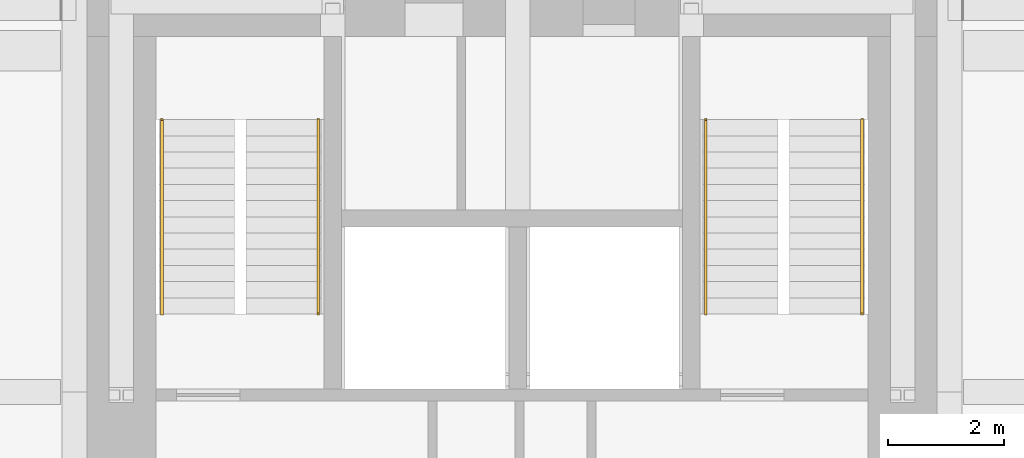
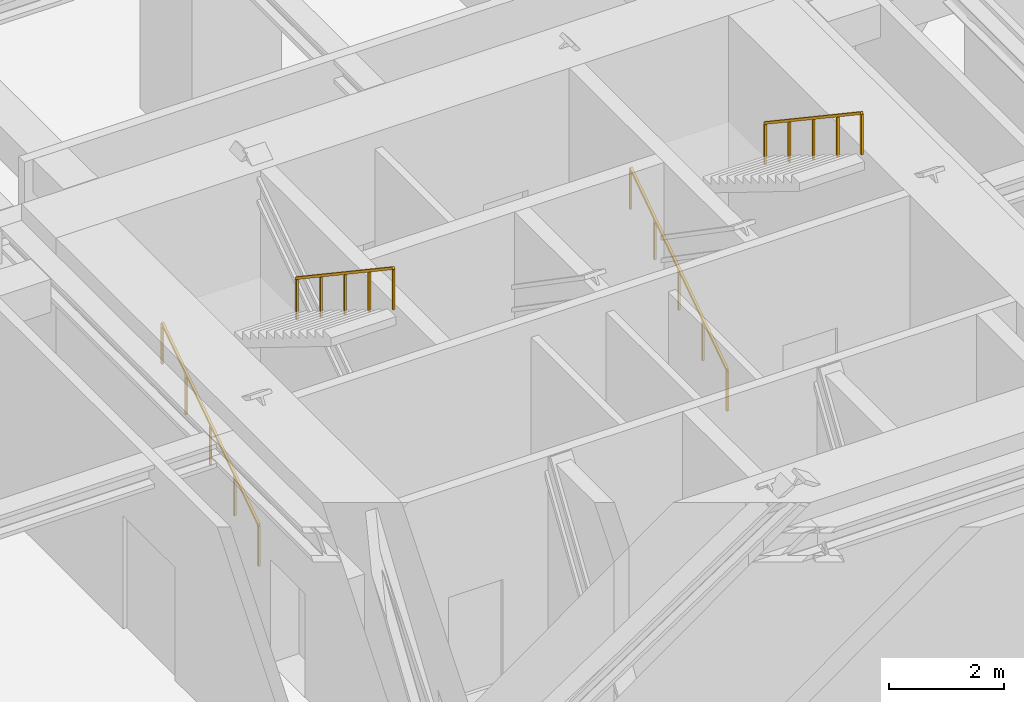
# One storey, part 6 of 6: 4 railings.
"""IFC4 building model written with IfcOpenShell, lengths in metres."""

from ifc_helpers import new_model, si_unit, direction, frame, origin, origin_2d, place, context, subcontext, project, spatial, rectangle, extrude, material, type_object, element, save


model = new_model("IFC4")

# Units and contexts
model_context = context("Model", 3, precision=1e-05, world=origin(), true_north=direction((0.0, 1.0)))
body_context = subcontext(model_context, "Body", "Model", "MODEL_VIEW")
ifc_project = project(units=[si_unit("LENGTHUNIT", "METRE"), si_unit("AREAUNIT", "SQUARE_METRE"), si_unit("VOLUMEUNIT", "CUBIC_METRE"), si_unit("PLANEANGLEUNIT", "RADIAN"), si_unit("MASSUNIT", "GRAM", prefix="KILO")], contexts=[model_context])

# Site, building, storey
site_placement = place(None, origin())
site = spatial("IfcSite", under=ifc_project, at=site_placement, CompositionType="ELEMENT")
building_placement = place(site_placement, origin())
building = spatial("IfcBuilding", under=site, at=building_placement, Name="Nyansa Garden Tower", CompositionType="ELEMENT")
storey_placement = place(building_placement, frame((0.0, 0.0, 75.60009765625)))
storey = spatial("IfcBuildingStorey", under=building, at=storey_placement, Name="L20", CompositionType="ELEMENT", Elevation=75.60009765625)

# Railings
ifc_material = material(Name="Black powder-coated steel tube 48 mm", Category="steel")
railing_type = type_object("IfcRailingType", Name="Stair handrail HR1", PredefinedType="HANDRAIL", material=ifc_material)
railing_1_placement = place(storey_placement, frame((14.199951171875, 21.60009765625, 0.0)))
element("IfcRailing", 1, at=railing_1_placement, inside=storey, type_object=railing_type, Name="Stair S1 handrail L20", PredefinedType="HANDRAIL", context=body_context, shape_type="SweptSolid", body=[
    extrude(rectangle(XDim=0.048095703125, YDim=0.048095703125, at=origin_2d()), frame((0.0, 0.0, 0.8759765625), z_axis=(0.0, 0.830896709279, 0.556426687452), x_axis=(-1.0, 0.0, 0.0)), (0.0, 0.0, 1.0), 4.043701171875),
    extrude(rectangle(XDim=0.0419921875, YDim=0.0419921875, at=origin_2d()), origin(), (0.0, 0.0, 1.0), 0.851806640625),
    extrude(rectangle(XDim=0.0419921875, YDim=0.0419921875, at=origin_2d()), frame((0.0, 0.83984375, 0.5625)), (0.0, 0.0, 1.0), 0.851806640625),
    extrude(rectangle(XDim=0.0419921875, YDim=0.0419921875, at=origin_2d()), frame((0.0, 1.679931640625, 1.125)), (0.0, 0.0, 1.0), 0.851806640625),
    extrude(rectangle(XDim=0.0419921875, YDim=0.0419921875, at=origin_2d()), frame((0.0, 2.52001953125, 1.6875)), (0.0, 0.0, 1.0), 0.851806640625),
    extrude(rectangle(XDim=0.0419921875, YDim=0.0419921875, at=origin_2d()), frame((0.0, 3.35986328125, 2.25)), (0.0, 0.0, 1.0), 0.851806640625),
])
railing_2_placement = place(storey_placement, frame((16.89990234375, 24.9599609375, 2.25)))
element("IfcRailing", 2, at=railing_2_placement, inside=storey, type_object=railing_type, Name="Stair S1 handrail L20", PredefinedType="HANDRAIL", context=body_context, shape_type="SweptSolid", body=[
    extrude(rectangle(XDim=0.048095703125, YDim=0.048095703125, at=origin_2d()), frame((0.0, 0.0, 0.8759765625), z_axis=(0.0, -0.830896709279, 0.556426687452), x_axis=(1.0, 0.0, 0.0)), (0.0, 0.0, 1.0), 4.043701171875),
    extrude(rectangle(XDim=0.0419921875, YDim=0.0419921875, at=origin_2d()), origin(), (0.0, 0.0, 1.0), 0.851806640625),
    extrude(rectangle(XDim=0.0419921875, YDim=0.0419921875, at=origin_2d()), frame((0.0, -0.83984375, 0.5625)), (0.0, 0.0, 1.0), 0.851806640625),
    extrude(rectangle(XDim=0.0419921875, YDim=0.0419921875, at=origin_2d()), frame((0.0, -1.679931640625, 1.125)), (0.0, 0.0, 1.0), 0.851806640625),
    extrude(rectangle(XDim=0.0419921875, YDim=0.0419921875, at=origin_2d()), frame((0.0, -2.52001953125, 1.6875)), (0.0, 0.0, 1.0), 0.851806640625),
    extrude(rectangle(XDim=0.0419921875, YDim=0.0419921875, at=origin_2d()), frame((0.0, -3.35986328125, 2.25)), (0.0, 0.0, 1.0), 0.851806640625),
])
railing_3_placement = place(storey_placement, frame((23.60009765625, 21.60009765625, 0.0)))
element("IfcRailing", 3, at=railing_3_placement, inside=storey, type_object=railing_type, Name="Stair S2 handrail L20", PredefinedType="HANDRAIL", context=body_context, shape_type="SweptSolid", body=[
    extrude(rectangle(XDim=0.048095703125, YDim=0.048095703125, at=origin_2d()), frame((0.0, 0.0, 0.8759765625), z_axis=(0.0, 0.830896709279, 0.556426687452), x_axis=(-1.0, 0.0, 0.0)), (0.0, 0.0, 1.0), 4.043701171875),
    extrude(rectangle(XDim=0.0419921875, YDim=0.0419921875, at=origin_2d()), origin(), (0.0, 0.0, 1.0), 0.851806640625),
    extrude(rectangle(XDim=0.0419921875, YDim=0.0419921875, at=origin_2d()), frame((0.0, 0.83984375, 0.5625)), (0.0, 0.0, 1.0), 0.851806640625),
    extrude(rectangle(XDim=0.0419921875, YDim=0.0419921875, at=origin_2d()), frame((0.0, 1.679931640625, 1.125)), (0.0, 0.0, 1.0), 0.851806640625),
    extrude(rectangle(XDim=0.0419921875, YDim=0.0419921875, at=origin_2d()), frame((0.0, 2.52001953125, 1.6875)), (0.0, 0.0, 1.0), 0.851806640625),
    extrude(rectangle(XDim=0.0419921875, YDim=0.0419921875, at=origin_2d()), frame((0.0, 3.35986328125, 2.25)), (0.0, 0.0, 1.0), 0.851806640625),
])
railing_4_placement = place(storey_placement, frame((26.300048828125, 24.9599609375, 2.25)))
element("IfcRailing", 4, at=railing_4_placement, inside=storey, type_object=railing_type, Name="Stair S2 handrail L20", PredefinedType="HANDRAIL", context=body_context, shape_type="SweptSolid", body=[
    extrude(rectangle(XDim=0.048095703125, YDim=0.048095703125, at=origin_2d()), frame((0.0, 0.0, 0.8759765625), z_axis=(0.0, -0.830896709279, 0.556426687452), x_axis=(1.0, 0.0, 0.0)), (0.0, 0.0, 1.0), 4.043701171875),
    extrude(rectangle(XDim=0.0419921875, YDim=0.0419921875, at=origin_2d()), origin(), (0.0, 0.0, 1.0), 0.851806640625),
    extrude(rectangle(XDim=0.0419921875, YDim=0.0419921875, at=origin_2d()), frame((0.0, -0.83984375, 0.5625)), (0.0, 0.0, 1.0), 0.851806640625),
    extrude(rectangle(XDim=0.0419921875, YDim=0.0419921875, at=origin_2d()), frame((0.0, -1.679931640625, 1.125)), (0.0, 0.0, 1.0), 0.851806640625),
    extrude(rectangle(XDim=0.0419921875, YDim=0.0419921875, at=origin_2d()), frame((0.0, -2.52001953125, 1.6875)), (0.0, 0.0, 1.0), 0.851806640625),
    extrude(rectangle(XDim=0.0419921875, YDim=0.0419921875, at=origin_2d()), frame((0.0, -3.35986328125, 2.25)), (0.0, 0.0, 1.0), 0.851806640625),
])

save(model, "model.ifc")
